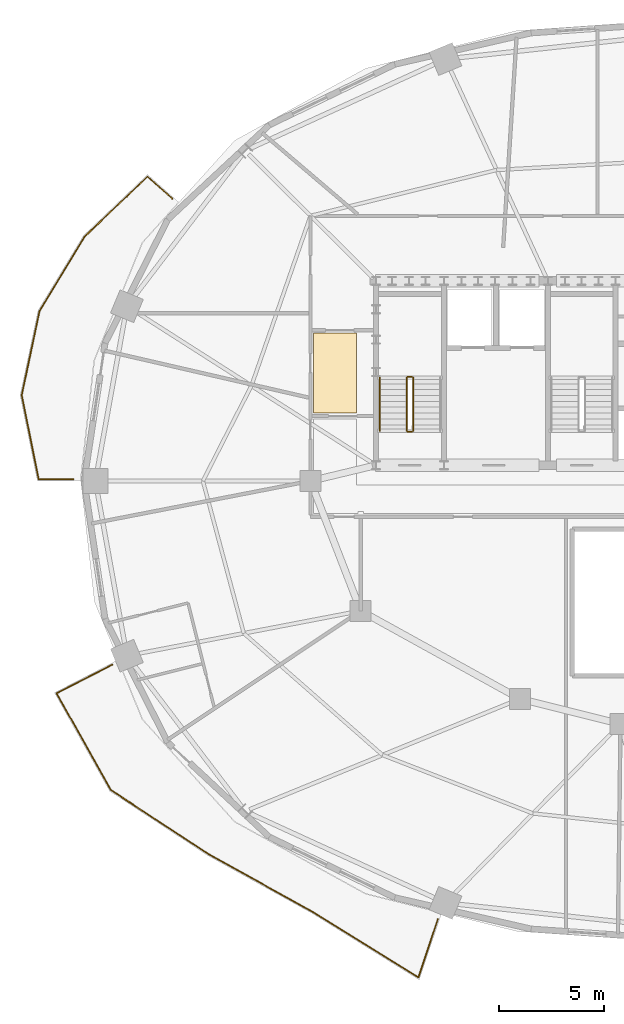
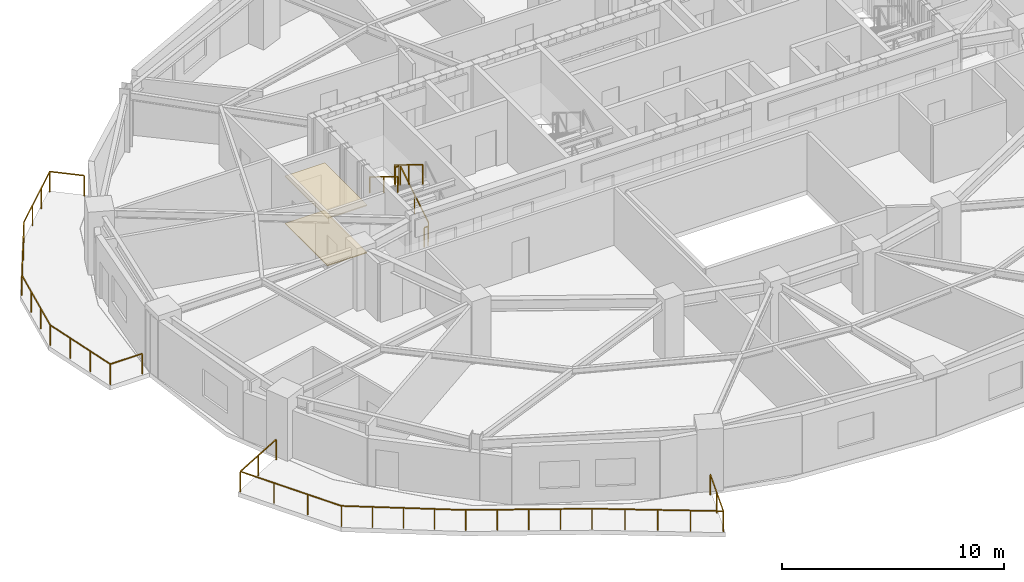
# One storey, part 8 of 10: 7 railings, 2 coverings.
"""IFC4 building model written with IfcOpenShell, lengths in metres."""

from ifc_helpers import new_model, si_unit, direction, frame, origin, origin_2d, place, context, subcontext, project, spatial, polyline, rectangle, outline, extrude, material, layer, layer_set, type_object, element, save


model = new_model("IFC4")

# Units and contexts
model_context = context("Model", 3, precision=1e-05, world=origin(), true_north=direction((0.0, 1.0)))
body_context = subcontext(model_context, "Body", "Model", "MODEL_VIEW")
ifc_project = project(units=[si_unit("LENGTHUNIT", "METRE"), si_unit("AREAUNIT", "SQUARE_METRE"), si_unit("VOLUMEUNIT", "CUBIC_METRE"), si_unit("PLANEANGLEUNIT", "RADIAN"), si_unit("MASSUNIT", "GRAM", prefix="KILO")], contexts=[model_context])

# Site, building, storey
site_placement = place(None, origin())
site = spatial("IfcSite", under=ifc_project, at=site_placement, CompositionType="ELEMENT")
building_placement = place(site_placement, origin())
building = spatial("IfcBuilding", under=site, at=building_placement, Name="Haldorwick Loom Tower", CompositionType="ELEMENT")
storey_placement = place(building_placement, frame((0.0, 0.0, 196.89990234375)))
storey = spatial("IfcBuildingStorey", under=building, at=storey_placement, Name="L53", CompositionType="ELEMENT", Elevation=196.89990234375)

# Coverings
ifc_material_1 = material(Name="Mineral Fibre Acoustic Ceiling Tile")
ifc_layer_1 = layer(ifc_material_1, 0.054931640625, Name="Mineral Fibre Acoustic Ceiling Tile")
ifc_layer_set_1 = layer_set([ifc_layer_1], Name="Mineral Fibre Acoustic Ceiling Tile")
covering_type_1 = type_object("IfcCoveringType", Name="ARC-COV-CEIL2", PredefinedType="CEILING", material=ifc_layer_set_1)
covering_1_placement = place(storey_placement, frame((0.0, 0.0, 2.59521484375)))
element("IfcCovering", 1, at=covering_1_placement, inside=storey, type_object=covering_type_1, Name="L53 Acoustic Suspended Ceiling 2", PredefinedType="CEILING", context=body_context, shape_type="SweptSolid", body=[
    extrude(outline(polyline([(18.93994140625, 33.06005859375), (18.93994140625, 29.239990234375), (21.0, 29.239990234375), (21.0, 33.06005859375), (18.93994140625, 33.06005859375)])), origin(), (0.0, 0.0, 1.0), 0.054931640625),
])
ifc_material_2 = material(Name="Polished Aggregate Terrazzo Finish")
ifc_layer_2 = layer(ifc_material_2, 0.044921875, Name="Polished Aggregate Terrazzo Finish")
ifc_layer_set_2 = layer_set([ifc_layer_2], Name="Polished Aggregate Terrazzo Finish")
covering_type_2 = type_object("IfcCoveringType", Name="ARC-COV-FLOOR2", PredefinedType="FLOORING", material=ifc_layer_set_2)
covering_2_placement = place(storey_placement, origin())
element("IfcCovering", 2, at=covering_2_placement, inside=storey, type_object=covering_type_2, Name="L53 Floor Finish 2", PredefinedType="FLOORING", context=body_context, shape_type="SweptSolid", body=[
    extrude(outline(polyline([(18.93994140625, 33.06005859375), (18.93994140625, 29.239990234375), (21.0, 29.239990234375), (21.0, 33.06005859375), (18.93994140625, 33.06005859375)])), origin(), (0.0, 0.0, 1.0), 0.045166015625),
])

# Railings
ifc_material_3 = material(Name="Galvanized Steel CSA G40.21 350W", Category="steel")
railing_type_1 = type_object("IfcRailingType", Name="ARC-RLG-BAL115", PredefinedType="BALUSTRADE", material=ifc_material_3)
railing_1_placement = place(storey_placement, frame((24.88134765625, 5.08056640625, 0.0)))
element("IfcRailing", 3, at=railing_1_placement, inside=storey, type_object=railing_type_1, Name="L53 Outdoor Terrace Guardrail SLB-L53-BAL_SW-1", PredefinedType="BALUSTRADE", context=body_context, shape_type="SweptSolid", body=[
    extrude(rectangle(XDim=0.048095703125, YDim=0.048095703125, at=origin_2d()), frame((0.0, 0.0, 1.1259765625), z_axis=(-0.316627583339, -0.948549931985, 0.0), x_axis=(0.948549931985, -0.316627583339, 0.0)), (0.0, 0.0, 1.0), 2.930908203125),
    extrude(rectangle(XDim=0.048095703125, YDim=0.048095703125, at=origin_2d()), frame((-0.927978515625, -2.780029296875, 1.1259765625), z_axis=(-0.849558476044, 0.527494450949, 0.0), x_axis=(-0.527494450949, -0.849558476044, 0.0)), (0.0, 0.0, 1.0), 5.911376953125),
    extrude(rectangle(XDim=0.048095703125, YDim=0.048095703125, at=origin_2d()), frame((-5.949951171875, 0.338134765625, 1.1259765625), z_axis=(-0.841178475377, 0.540757591313, 0.0), x_axis=(-0.540757591313, -0.841178475377, 0.0)), (0.0, 0.0, 1.0), 0.004150390625),
    extrude(rectangle(XDim=0.048095703125, YDim=0.048095703125, at=origin_2d()), frame((-5.953369140625, 0.34033203125, 1.1259765625), z_axis=(-0.874794435456, 0.484494267969, 0.0), x_axis=(-0.484494267969, -0.874794435456, 0.0)), (0.0, 0.0, 1.0), 5.6865234375),
    extrude(rectangle(XDim=0.048095703125, YDim=0.048095703125, at=origin_2d()), frame((-10.927978515625, 3.095458984375, 1.1259765625), z_axis=(-0.836006040113, 0.548720239188, 0.0), x_axis=(-0.548720239188, -0.836006040113, 0.0)), (0.0, 0.0, 1.0), 5.600341796875),
    extrude(rectangle(XDim=0.048095703125, YDim=0.048095703125, at=origin_2d()), frame((-15.60986328125, 6.16845703125, 1.1259765625), z_axis=(-0.488904125023, 0.872337524434, 0.0), x_axis=(-0.872337524434, -0.488904125023, 0.0)), (0.0, 0.0, 1.0), 5.289306640625),
    extrude(rectangle(XDim=0.048095703125, YDim=0.048095703125, at=origin_2d()), frame((-18.19580078125, 10.782470703125, 1.1259765625), z_axis=(0.888615283662, 0.45865333057, 0.0), x_axis=(-0.45865333057, 0.888615283662, 0.0)), (0.0, 0.0, 1.0), 2.98681640625),
    extrude(rectangle(XDim=0.0419921875, YDim=0.0419921875, at=origin_2d()), origin(), (0.0, 0.0, 1.0), 1.101806640625),
    extrude(rectangle(XDim=0.0419921875, YDim=0.0419921875, at=origin_2d()), frame((-0.4638671875, -1.39013671875, 0.0)), (0.0, 0.0, 1.0), 1.101806640625),
    extrude(rectangle(XDim=0.0419921875, YDim=0.0419921875, at=origin_2d()), frame((-0.927978515625, -2.780029296875, 0.0)), (0.0, 0.0, 1.0), 1.101806640625),
    extrude(rectangle(XDim=0.0419921875, YDim=0.0419921875, at=origin_2d()), frame((-2.18359375, -2.00048828125, 0.0)), (0.0, 0.0, 1.0), 1.101806640625),
    extrude(rectangle(XDim=0.0419921875, YDim=0.0419921875, at=origin_2d()), frame((-3.43896484375, -1.220947265625, 0.0)), (0.0, 0.0, 1.0), 1.101806640625),
    extrude(rectangle(XDim=0.0419921875, YDim=0.0419921875, at=origin_2d()), frame((-4.6943359375, -0.44140625, 0.0)), (0.0, 0.0, 1.0), 1.101806640625),
    extrude(rectangle(XDim=0.0419921875, YDim=0.0419921875, at=origin_2d()), frame((-5.949951171875, 0.338134765625, 0.0)), (0.0, 0.0, 1.0), 1.101806640625),
    extrude(rectangle(XDim=0.0419921875, YDim=0.0419921875, at=origin_2d()), frame((-7.197021484375, 1.029052734375, 0.0)), (0.0, 0.0, 1.0), 1.101806640625),
    extrude(rectangle(XDim=0.0419921875, YDim=0.0419921875, at=origin_2d()), frame((-8.440673828125, 1.7177734375, 0.0)), (0.0, 0.0, 1.0), 1.101806640625),
    extrude(rectangle(XDim=0.0419921875, YDim=0.0419921875, at=origin_2d()), frame((-9.684326171875, 2.40673828125, 0.0)), (0.0, 0.0, 1.0), 1.101806640625),
    extrude(rectangle(XDim=0.0419921875, YDim=0.0419921875, at=origin_2d()), frame((-10.927978515625, 3.095458984375, 0.0)), (0.0, 0.0, 1.0), 1.101806640625),
    extrude(rectangle(XDim=0.0419921875, YDim=0.0419921875, at=origin_2d()), frame((-12.098388671875, 3.86376953125, 0.0)), (0.0, 0.0, 1.0), 1.101806640625),
    extrude(rectangle(XDim=0.0419921875, YDim=0.0419921875, at=origin_2d()), frame((-13.26904296875, 4.6318359375, 0.0)), (0.0, 0.0, 1.0), 1.101806640625),
    extrude(rectangle(XDim=0.0419921875, YDim=0.0419921875, at=origin_2d()), frame((-14.439453125, 5.400146484375, 0.0)), (0.0, 0.0, 1.0), 1.101806640625),
    extrude(rectangle(XDim=0.0419921875, YDim=0.0419921875, at=origin_2d()), frame((-15.60986328125, 6.16845703125, 0.0)), (0.0, 0.0, 1.0), 1.101806640625),
    extrude(rectangle(XDim=0.0419921875, YDim=0.0419921875, at=origin_2d()), frame((-16.471923828125, 7.70654296875, 0.0)), (0.0, 0.0, 1.0), 1.101806640625),
    extrude(rectangle(XDim=0.0419921875, YDim=0.0419921875, at=origin_2d()), frame((-17.333740234375, 9.244384765625, 0.0)), (0.0, 0.0, 1.0), 1.101806640625),
    extrude(rectangle(XDim=0.0419921875, YDim=0.0419921875, at=origin_2d()), frame((-18.19580078125, 10.782470703125, 0.0)), (0.0, 0.0, 1.0), 1.101806640625),
    extrude(rectangle(XDim=0.0419921875, YDim=0.0419921875, at=origin_2d()), frame((-16.86865234375, 11.46728515625, 0.0)), (0.0, 0.0, 1.0), 1.101806640625),
    extrude(rectangle(XDim=0.0419921875, YDim=0.0419921875, at=origin_2d()), frame((-15.541748046875, 12.15234375, 0.0)), (0.0, 0.0, 1.0), 1.101806640625),
])
railing_2_placement = place(storey_placement, frame((7.490478515625, 26.080078125, 0.0)))
element("IfcRailing", 4, at=railing_2_placement, inside=storey, type_object=railing_type_1, Name="L53 Outdoor Terrace Guardrail SLB-L53-BAL_WNW-1", PredefinedType="BALUSTRADE", context=body_context, shape_type="SweptSolid", body=[
    extrude(rectangle(XDim=0.048095703125, YDim=0.048095703125, at=origin_2d()), frame((0.0, 0.0, 1.1259765625), z_axis=(-1.0, 0.0, 0.0), x_axis=(0.0, -1.0, 0.0)), (0.0, 0.0, 1.0), 1.6630859375),
    extrude(rectangle(XDim=0.048095703125, YDim=0.048095703125, at=origin_2d()), frame((-1.6630859375, 0.0, 1.1259765625), z_axis=(-0.197952038477, 0.980211706961, 0.0), x_axis=(-0.980211706961, -0.197952038477, 0.0)), (0.0, 0.0, 1.0), 4.091064453125),
    extrude(rectangle(XDim=0.048095703125, YDim=0.048095703125, at=origin_2d()), frame((-2.472900390625, 4.010009765625, 1.1259765625), z_axis=(0.206899731291, 0.978362152371, 0.0), x_axis=(-0.978362152371, 0.206899731291, 0.0)), (0.0, 0.0, 1.0), 4.122802734375),
    extrude(rectangle(XDim=0.048095703125, YDim=0.048095703125, at=origin_2d()), frame((-1.619873046875, 8.043701171875, 1.1259765625), z_axis=(0.519108630806, 0.854708271531, 0.0), x_axis=(-0.854708271531, 0.519108630806, 0.0)), (0.0, 0.0, 1.0), 4.1494140625),
    extrude(rectangle(XDim=0.048095703125, YDim=0.048095703125, at=origin_2d()), frame((0.5341796875, 11.59033203125, 1.1259765625), z_axis=(0.723965488308, 0.689836191961, 0.0), x_axis=(-0.689836191961, 0.723965488308, 0.0)), (0.0, 0.0, 1.0), 4.141845703125),
    extrude(rectangle(XDim=0.048095703125, YDim=0.048095703125, at=origin_2d()), frame((3.53271484375, 14.447509765625, 1.1259765625), z_axis=(0.748157336586, -0.663521363418, 0.0), x_axis=(0.663521363418, 0.748157336586, 0.0)), (0.0, 0.0, 1.0), 1.583740234375),
    extrude(rectangle(XDim=0.0419921875, YDim=0.0419921875, at=origin_2d()), origin(), (0.0, 0.0, 1.0), 1.101806640625),
    extrude(rectangle(XDim=0.0419921875, YDim=0.0419921875, at=origin_2d()), frame((-1.6630859375, 0.0, 0.0)), (0.0, 0.0, 1.0), 1.101806640625),
    extrude(rectangle(XDim=0.0419921875, YDim=0.0419921875, at=origin_2d()), frame((-1.93310546875, 1.336669921875, 0.0)), (0.0, 0.0, 1.0), 1.101806640625),
    extrude(rectangle(XDim=0.0419921875, YDim=0.0419921875, at=origin_2d()), frame((-2.202880859375, 2.67333984375, 0.0)), (0.0, 0.0, 1.0), 1.101806640625),
    extrude(rectangle(XDim=0.0419921875, YDim=0.0419921875, at=origin_2d()), frame((-2.472900390625, 4.010009765625, 0.0)), (0.0, 0.0, 1.0), 1.101806640625),
    extrude(rectangle(XDim=0.0419921875, YDim=0.0419921875, at=origin_2d()), frame((-2.1884765625, 5.3544921875, 0.0)), (0.0, 0.0, 1.0), 1.101806640625),
    extrude(rectangle(XDim=0.0419921875, YDim=0.0419921875, at=origin_2d()), frame((-1.904296875, 6.69921875, 0.0)), (0.0, 0.0, 1.0), 1.101806640625),
    extrude(rectangle(XDim=0.0419921875, YDim=0.0419921875, at=origin_2d()), frame((-1.619873046875, 8.043701171875, 0.0)), (0.0, 0.0, 1.0), 1.101806640625),
    extrude(rectangle(XDim=0.0419921875, YDim=0.0419921875, at=origin_2d()), frame((-0.90185546875, 9.225830078125, 0.0)), (0.0, 0.0, 1.0), 1.101806640625),
    extrude(rectangle(XDim=0.0419921875, YDim=0.0419921875, at=origin_2d()), frame((-0.183837890625, 10.408203125, 0.0)), (0.0, 0.0, 1.0), 1.101806640625),
    extrude(rectangle(XDim=0.0419921875, YDim=0.0419921875, at=origin_2d()), frame((0.5341796875, 11.59033203125, 0.0)), (0.0, 0.0, 1.0), 1.101806640625),
    extrude(rectangle(XDim=0.0419921875, YDim=0.0419921875, at=origin_2d()), frame((1.53369140625, 12.542724609375, 0.0)), (0.0, 0.0, 1.0), 1.101806640625),
    extrude(rectangle(XDim=0.0419921875, YDim=0.0419921875, at=origin_2d()), frame((2.533203125, 13.4951171875, 0.0)), (0.0, 0.0, 1.0), 1.101806640625),
    extrude(rectangle(XDim=0.0419921875, YDim=0.0419921875, at=origin_2d()), frame((3.53271484375, 14.447509765625, 0.0)), (0.0, 0.0, 1.0), 1.101806640625),
    extrude(rectangle(XDim=0.0419921875, YDim=0.0419921875, at=origin_2d()), frame((4.717529296875, 13.396728515625, 0.0)), (0.0, 0.0, 1.0), 1.101806640625),
])
ifc_material_4 = material(Name="Steel CSA G40.21 350W", Category="steel")
railing_type_2 = type_object("IfcRailingType", Name="ARC-RLG-GUARD112", PredefinedType="GUARDRAIL", material=ifc_material_4)
railing_3_placement = place(storey_placement, frame((23.699951171875, 28.39990234375, 0.172607421875)))
element("IfcRailing", 5, at=railing_3_placement, inside=storey, type_object=railing_type_2, Name="L53 ST-01 stair guard 1", PredefinedType="GUARDRAIL", context=body_context, shape_type="SweptSolid", body=[
    extrude(rectangle(XDim=0.048095703125, YDim=0.048095703125, at=origin_2d()), frame((0.0, 0.0, 1.076171875), z_axis=(0.0, 0.851400495292, 0.524516154772), x_axis=(-1.0, 0.0, 0.0)), (0.0, 0.0, 1.0), 2.9599609375),
    extrude(rectangle(XDim=0.0419921875, YDim=0.0419921875, at=origin_2d()), origin(), (0.0, 0.0, 1.0), 1.052001953125),
    extrude(rectangle(XDim=0.0419921875, YDim=0.0419921875, at=origin_2d()), frame((0.0, 1.260009765625, 0.7763671875)), (0.0, 0.0, 1.0), 1.052001953125),
    extrude(rectangle(XDim=0.0419921875, YDim=0.0419921875, at=origin_2d()), frame((0.0, 2.52001953125, 1.552490234375)), (0.0, 0.0, 1.0), 1.052001953125),
])
railing_4_placement = place(storey_placement, frame((23.64990234375, 30.969970703125, 1.72509765625)))
element("IfcRailing", 6, at=railing_4_placement, inside=storey, type_object=railing_type_2, Name="L53 ST-01 stair guard 2", PredefinedType="GUARDRAIL", context=body_context, shape_type="SweptSolid", body=[
    extrude(rectangle(XDim=0.048095703125, YDim=0.048095703125, at=origin_2d()), frame((0.0, 0.0, 1.076171875), z_axis=(-1.0, 0.0, 0.0), x_axis=(0.0, -1.0, 0.0)), (0.0, 0.0, 1.0), 0.199951171875),
    extrude(rectangle(XDim=0.0419921875, YDim=0.0419921875, at=origin_2d()), origin(), (0.0, 0.0, 1.0), 1.052001953125),
    extrude(rectangle(XDim=0.0419921875, YDim=0.0419921875, at=origin_2d()), frame((-0.199951171875, 0.0, 0.0)), (0.0, 0.0, 1.0), 1.052001953125),
])
railing_5_placement = place(storey_placement, frame((23.39990234375, 30.919921875, 1.897705078125)))
element("IfcRailing", 7, at=railing_5_placement, inside=storey, type_object=railing_type_2, Name="L53 ST-01 stair guard 3", PredefinedType="GUARDRAIL", context=body_context, shape_type="SweptSolid", body=[
    extrude(rectangle(XDim=0.048095703125, YDim=0.048095703125, at=origin_2d()), frame((0.0, 0.0, 1.076171875), z_axis=(0.0, -0.851400495292, 0.524516154772), x_axis=(1.0, 0.0, 0.0)), (0.0, 0.0, 1.0), 2.9599609375),
    extrude(rectangle(XDim=0.0419921875, YDim=0.0419921875, at=origin_2d()), origin(), (0.0, 0.0, 1.0), 1.052001953125),
    extrude(rectangle(XDim=0.0419921875, YDim=0.0419921875, at=origin_2d()), frame((0.0, -1.260009765625, 0.7763671875)), (0.0, 0.0, 1.0), 1.052001953125),
    extrude(rectangle(XDim=0.0419921875, YDim=0.0419921875, at=origin_2d()), frame((0.0, -2.52001953125, 1.552490234375)), (0.0, 0.0, 1.0), 1.052001953125),
])
railing_6_placement = place(storey_placement, frame((23.64990234375, 28.35009765625, 0.0)))
element("IfcRailing", 8, at=railing_6_placement, inside=storey, type_object=railing_type_2, Name="L53 ST-01 stair guard 4", PredefinedType="GUARDRAIL", context=body_context, shape_type="SweptSolid", body=[
    extrude(rectangle(XDim=0.048095703125, YDim=0.048095703125, at=origin_2d()), frame((0.0, 0.0, 1.076171875), z_axis=(-1.0, 0.0, 0.0), x_axis=(0.0, -1.0, 0.0)), (0.0, 0.0, 1.0), 0.199951171875),
    extrude(rectangle(XDim=0.0419921875, YDim=0.0419921875, at=origin_2d()), origin(), (0.0, 0.0, 1.0), 1.052001953125),
    extrude(rectangle(XDim=0.0419921875, YDim=0.0419921875, at=origin_2d()), frame((-0.199951171875, 0.0, 0.0)), (0.0, 0.0, 1.0), 1.052001953125),
])
railing_type_3 = type_object("IfcRailingType", Name="ARC-RLG-HAND092", PredefinedType="HANDRAIL", material=ifc_material_4)
railing_7_placement = place(storey_placement, frame((22.10009765625, 30.919921875, 1.897705078125)))
element("IfcRailing", 9, at=railing_7_placement, inside=storey, type_object=railing_type_3, Name="L53 ST-01 stair handrail 2", PredefinedType="HANDRAIL", context=body_context, shape_type="SweptSolid", body=[
    extrude(rectangle(XDim=0.048095703125, YDim=0.048095703125, at=origin_2d()), frame((0.0, 0.0, 0.8759765625), z_axis=(0.0, -0.851400495292, 0.524516154772), x_axis=(1.0, 0.0, 0.0)), (0.0, 0.0, 1.0), 2.9599609375),
    extrude(rectangle(XDim=0.0419921875, YDim=0.0419921875, at=origin_2d()), origin(), (0.0, 0.0, 1.0), 0.851806640625),
    extrude(rectangle(XDim=0.0419921875, YDim=0.0419921875, at=origin_2d()), frame((0.0, -1.260009765625, 0.7763671875)), (0.0, 0.0, 1.0), 0.851806640625),
    extrude(rectangle(XDim=0.0419921875, YDim=0.0419921875, at=origin_2d()), frame((0.0, -2.52001953125, 1.552490234375)), (0.0, 0.0, 1.0), 0.851806640625),
])

save(model, "model.ifc")
